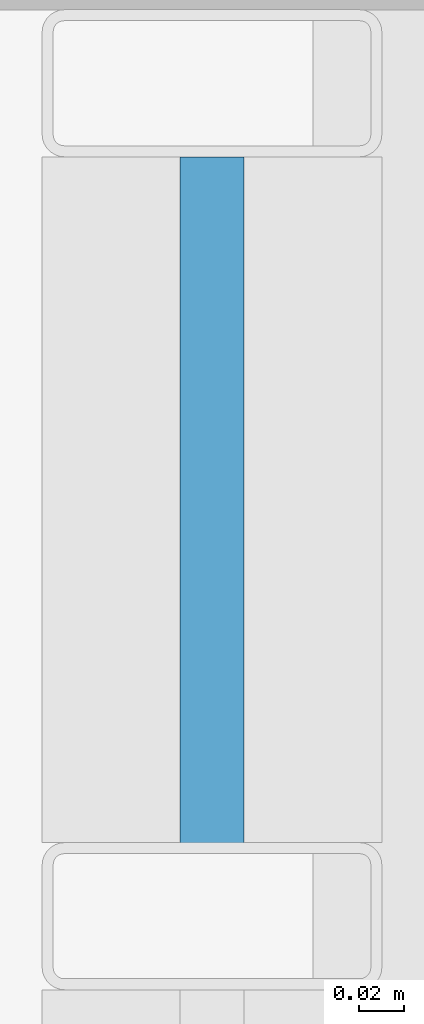
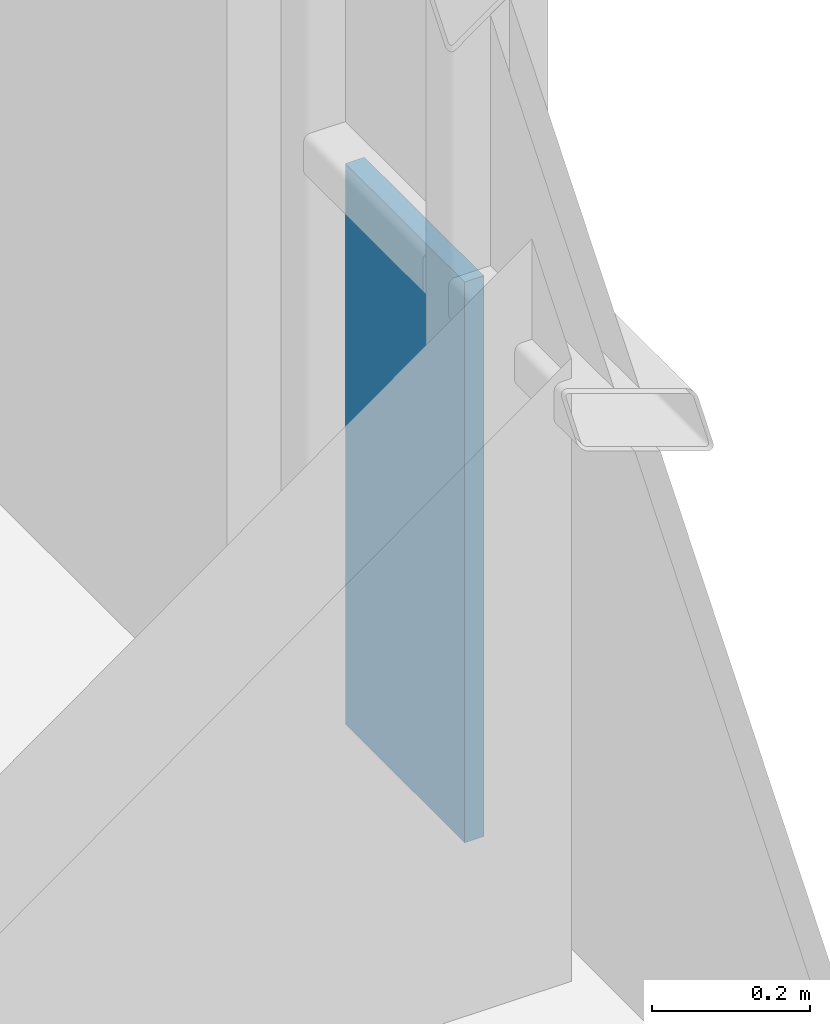
# One storey, part 30 of 40: 1 plate, 1 element without a shape of its own.
"""IFC4 building model written with IfcOpenShell, lengths in metres."""

from ifc_helpers import new_model, si_unit, direction, frame, origin, origin_2d, place, context, subcontext, project, spatial, rectangle, extrude, material, layer, layer_set, type_object, element, aggregate, save


model = new_model("IFC4")

# Units and contexts
model_context = context("Model", 3, precision=1e-05, world=origin(), true_north=direction((0.0, 1.0)))
body_context = subcontext(model_context, "Body", "Model", "MODEL_VIEW")
ifc_project = project(units=[si_unit("LENGTHUNIT", "METRE"), si_unit("AREAUNIT", "SQUARE_METRE"), si_unit("VOLUMEUNIT", "CUBIC_METRE"), si_unit("PLANEANGLEUNIT", "RADIAN"), si_unit("MASSUNIT", "GRAM", prefix="KILO")], contexts=[model_context])

# Site, building, storey
site_placement = place(None, origin())
site = spatial("IfcSite", under=ifc_project, at=site_placement, CompositionType="ELEMENT")
building_placement = place(site_placement, origin())
building = spatial("IfcBuilding", under=site, at=building_placement, Name="Brevholm Reach", CompositionType="ELEMENT")
storey_placement = place(building_placement, frame((0.0, 0.0, 31.10009765625)))
storey = spatial("IfcBuildingStorey", under=building, at=storey_placement, Name="L07", CompositionType="ELEMENT", Elevation=31.10009765625)

# Curtain wall, plate
ifc_material_1 = material(Name="Dark Anodised Aluminium 6063-T6 and Solar-Control Glass", Category="aluminium")
ifc_layer_1 = layer(ifc_material_1, 0.14990234375)
ifc_layer_set_1 = layer_set([ifc_layer_1], Name="Dark Anodised Aluminium 6063-T6 and Solar-Control Glass")
curtain_wall_type = type_object("IfcCurtainWallType", Name="CW-01", PredefinedType="NOTDEFINED", material=ifc_layer_set_1)
curtain_wall_placement = place(storey_placement, origin())
curtain_wall = element("IfcCurtainWall", 1, at=curtain_wall_placement, inside=storey, type_object=curtain_wall_type, Name="L07 Curtain Wall CW-01", PredefinedType="NOTDEFINED")
ifc_material_2 = material(Name="Dark Solar-Control Double-Glazed IGU Glass", Category="glass")
ifc_layer_2 = layer(ifc_material_2, 0.028076171875)
ifc_layer_set_2 = layer_set([ifc_layer_2], Name="Dark Solar-Control Double-Glazed IGU Glass")
plate_type = type_object("IfcPlateType", Name="CWP-GLZ-28", PredefinedType="CURTAIN_PANEL", material=ifc_layer_set_2)
plate_placement = place(storey_placement, frame((59.85009765625, 22.733642578125, 0.0), z_axis=(0.0, 0.0, 1.0), x_axis=(0.0, 1.0, 0.0)))
plate = element("IfcPlate", 2, at=plate_placement, type_object=plate_type, Name="CP-01 Glazing Panel 5.1", PredefinedType="CURTAIN_PANEL", context=body_context, shape_type="SweptSolid", body=[
    extrude(rectangle(XDim=0.302490234375, YDim=0.028076171875, at=origin_2d()), origin(), (0.0, 0.0, 1.0), 0.867431640625),
])
aggregate(curtain_wall, [plate])

save(model, "model.ifc")
